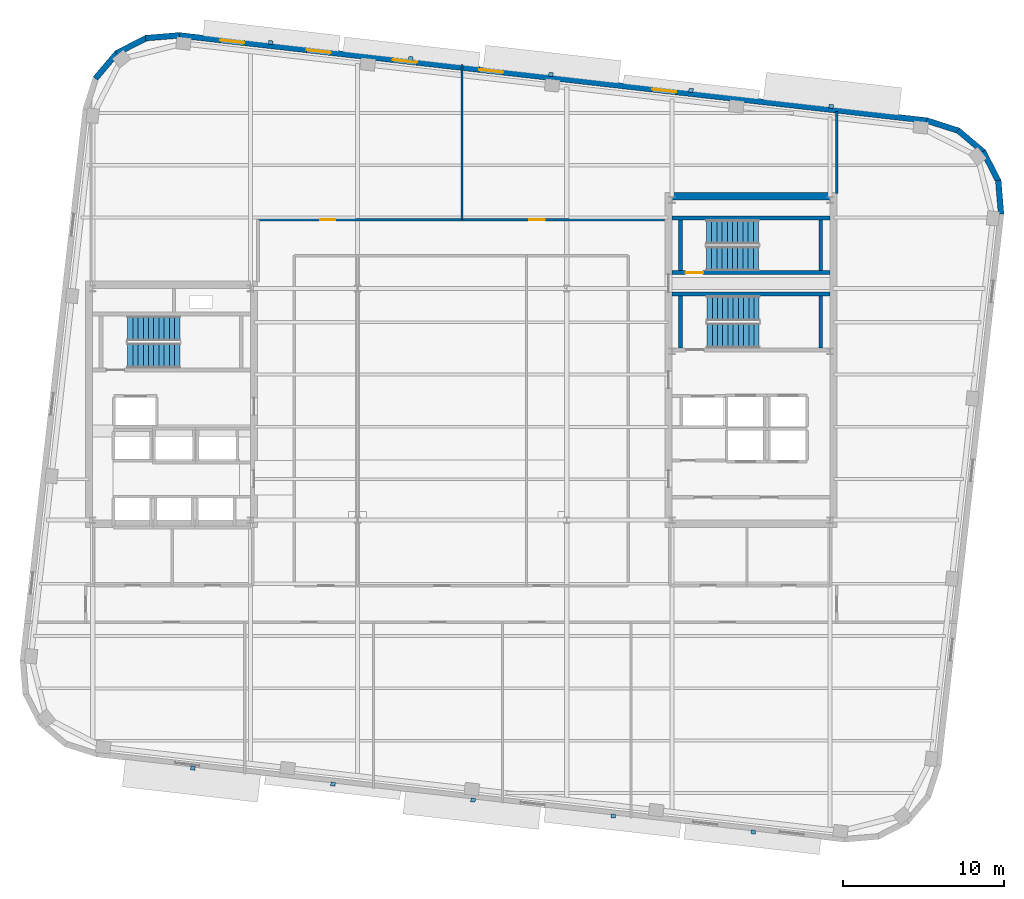
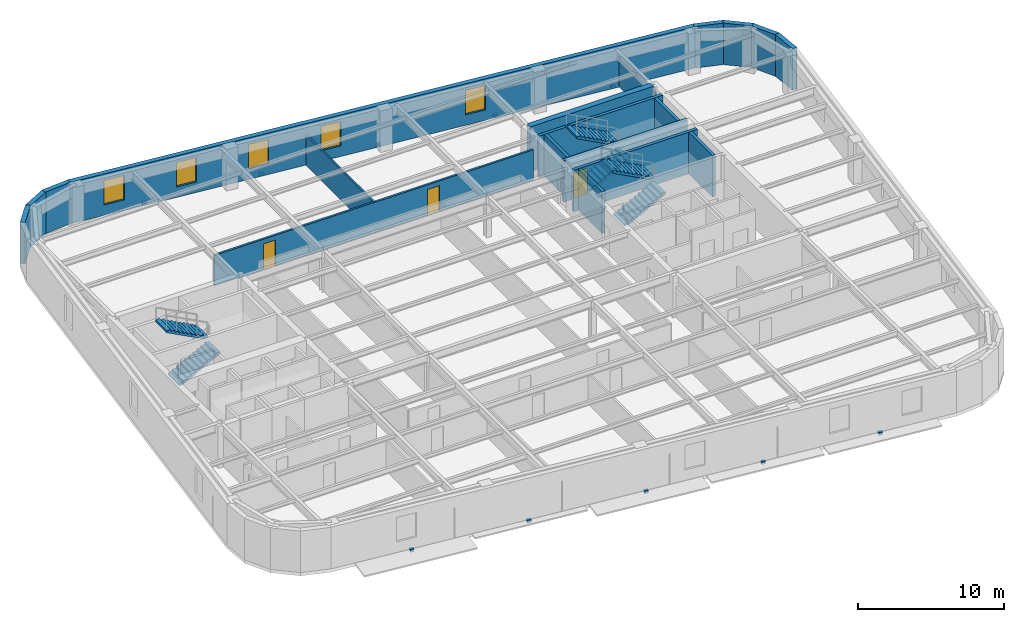
# One storey, part 8 of 12: 19 walls, 10 discrete accessories, 6 stair flights, 5 windows, 3 doors, 8 openings, 3 elements without a shape of their own.
"""IFC4 building model written with IfcOpenShell, lengths in metres."""

from ifc_helpers import new_model, si_unit, direction, frame, frame_2d, origin, origin_2d, place, context, subcontext, project, spatial, polyline, rectangle, outline, extrude, material, layer, layer_set, type_object, element, fill, aggregate, save


model = new_model("IFC4")

# Units and contexts
model_context = context("Model", 3, precision=1e-05, world=origin(), true_north=direction((0.0, 1.0)))
body_context = subcontext(model_context, "Body", "Model", "MODEL_VIEW")
ifc_project = project(units=[si_unit("LENGTHUNIT", "METRE"), si_unit("AREAUNIT", "SQUARE_METRE"), si_unit("VOLUMEUNIT", "CUBIC_METRE"), si_unit("PLANEANGLEUNIT", "RADIAN"), si_unit("MASSUNIT", "GRAM", prefix="KILO")], contexts=[model_context])

# Site, building, storey
site_placement = place(None, origin())
site = spatial("IfcSite", under=ifc_project, at=site_placement, CompositionType="ELEMENT")
building_placement = place(site_placement, origin())
building = spatial("IfcBuilding", under=site, at=building_placement, Name="Kolvaren Arena Tower", CompositionType="ELEMENT")
storey_placement = place(building_placement, frame((0.0, 0.0, 220.949951171875)))
storey = spatial("IfcBuildingStorey", under=building, at=storey_placement, Name="L53", CompositionType="ELEMENT", Elevation=220.949951171875)

# Wall, openings, doors
ifc_material_1 = material(Name="Gypsum board acoustic assembly", Category="gypsum")
ifc_layer_1 = layer(ifc_material_1, 0.159912109375)
ifc_layer_set_1 = layer_set([ifc_layer_1], Name="Gypsum board acoustic assembly")
wall_type_1 = type_object("IfcWallType", Name="CORR-160", PredefinedType="PARTITIONING", material=ifc_layer_set_1)
wall_1_placement = place(storey_placement, frame((24.820068359375, 38.1201171875, 0.0), z_axis=(0.0, 0.0, 1.0), x_axis=(1.0, 0.0, 0.0)))
wall_1 = element("IfcWall", 1, at=wall_1_placement, inside=storey, type_object=wall_type_1, Name="Interior Partition Wall (L53)", PredefinedType="PARTITIONING", context=body_context, shape_type="SweptSolid", body=[
    extrude(rectangle(XDim=25.260009765625, YDim=0.159912109375, at=frame_2d((12.6298828125, 0.0))), origin(), (0.0, 0.0, 1.0), 2.5400390625),
])
opening_1_placement = place(wall_1_placement, frame((3.85498046875, 0.0, 0.0)))
opening_1 = element("IfcOpeningElement", 2, at=opening_1_placement, cuts=wall_1, Name="Opening D05", PredefinedType="OPENING", context=body_context, shape_type="SweptSolid", body=[
    extrude(rectangle(XDim=0.949951171875, YDim=2.14990234375, at=frame_2d((0.47509765625, 1.074951171875))), frame((0.0, 0.08984375, 0.0), z_axis=(0.0, -1.0, 0.0), x_axis=(1.0, 0.0, 0.0)), (0.0, 0.0, 1.0), 0.179931640625),
])
opening_2_placement = place(wall_1_placement, frame((16.85498046875, 0.0, 0.0)))
opening_2 = element("IfcOpeningElement", 3, at=opening_2_placement, cuts=wall_1, Name="Opening D05", PredefinedType="OPENING", context=body_context, shape_type="SweptSolid", body=[
    extrude(rectangle(XDim=0.949951171875, YDim=2.14990234375, at=frame_2d((0.47509765625, 1.074951171875))), frame((0.0, 0.08984375, 0.0), z_axis=(0.0, -1.0, 0.0), x_axis=(1.0, 0.0, 0.0)), (0.0, 0.0, 1.0), 0.179931640625),
])
ifc_material_2 = material(Name="Solid-core oak acoustic office door", Category="wood")
door_type_1 = type_object("IfcDoorType", Name="DOOR-OF-095", OperationType="NOTDEFINED", PredefinedType="DOOR", material=ifc_material_2)
door_1_placement = place(opening_1_placement, origin())
door_1 = element("IfcDoor", 4, at=door_1_placement, inside=storey, type_object=door_type_1, Name="Design Studio Door (L53)", OperationType="SINGLE_SWING_RIGHT", OverallHeight=2.14990234375, OverallWidth=0.949951171875, PredefinedType="DOOR", context=body_context, shape_type="SweptSolid", body=[
    extrude(rectangle(XDim=0.949951171875, YDim=2.14990234375, at=frame_2d((0.47509765625, 1.074951171875))), frame((0.0, 0.02490234375, 0.0), z_axis=(0.0, -1.0, 0.0), x_axis=(1.0, 0.0, 0.0)), (0.0, 0.0, 1.0), 0.050048828125),
])
fill(opening_1, door_1)
door_2_placement = place(opening_2_placement, origin())
door_2 = element("IfcDoor", 5, at=door_2_placement, inside=storey, type_object=door_type_1, Name="Technical Engineering Office Door (L53)", OperationType="SINGLE_SWING_LEFT", OverallHeight=2.14990234375, OverallWidth=0.949951171875, PredefinedType="DOOR", context=body_context, shape_type="SweptSolid", body=[
    extrude(rectangle(XDim=0.949951171875, YDim=2.14990234375, at=frame_2d((0.47509765625, 1.074951171875))), frame((0.0, 0.02490234375, 0.0), z_axis=(0.0, -1.0, 0.0), x_axis=(1.0, 0.0, 0.0)), (0.0, 0.0, 1.0), 0.050048828125),
])
fill(opening_2, door_2)

# Walls
ifc_material_3 = material(Name="Concrete 55 MPa", Category="concrete")
ifc_layer_2 = layer(ifc_material_3, 0.449951171875)
ifc_layer_set_2 = layer_set([ifc_layer_2], Name="Concrete 55 MPa")
wall_type_2 = type_object("IfcWallType", Name="CWALL-450", PredefinedType="SHEAR", material=ifc_layer_set_2)
wall_2_placement = place(storey_placement, frame((50.550048828125, 39.574951171875, -0.27001953125), z_axis=(0.0, 0.0, 1.0), x_axis=(1.0, 0.0, 0.0)))
element("IfcWall", 6, at=wall_2_placement, inside=storey, type_object=wall_type_2, Name="Core Shear Wall EC-NORTH (L53)", PredefinedType="SHEAR", context=body_context, shape_type="SweptSolid", body=[
    extrude(rectangle(XDim=9.800048828125, YDim=0.449951171875, at=frame_2d((4.89990234375, 0.0))), origin(), (0.0, 0.0, 1.0), 3.75),
])
ifc_material_4 = material(Name="Precast concrete C50/60", Category="concrete")
ifc_layer_3 = layer(ifc_material_4, 0.360107421875)
ifc_layer_set_3 = layer_set([ifc_layer_3], Name="Precast concrete C50/60")
wall_type_3 = type_object("IfcWallType", Name="EXT-PIER2", PredefinedType="SOLIDWALL", material=ifc_layer_set_3)
wall_3_placement = place(storey_placement, frame((70.813720703125, 40.563720703125, 0.0), z_axis=(0.0, 0.0, 1.0), x_axis=(0.082853678144, -0.996561723135, 0.0)))
element("IfcWall", 7, at=wall_3_placement, inside=storey, type_object=wall_type_3, Name="Exterior Precast Masonry-Frame Wall (L53)", PredefinedType="SOLIDWALL", context=body_context, shape_type="SweptSolid", body=[
    extrude(rectangle(XDim=2.10693359375, YDim=0.360107421875, at=frame_2d((1.053466796875, 0.0))), origin(), (0.0, 0.0, 1.0), 3.47998046875),
])
for number, where, z_axis, x_axis, name in (
    (8, (69.868408203125, 42.369384765625, 0.0), (0.0, 0.0, 1.0), (0.457887222333, -0.889010287693, 0.0), "Exterior Precast Masonry-Frame Wall (L53)"),
    (9, (68.303955078125, 43.67578125, 0.0), (0.0, 0.0, 1.0), (0.763192878975, -0.646170743289, 0.0), "Exterior Precast Masonry-Frame Wall (L53)"),
    (10, (66.358642578125, 44.283935546875, 0.0), (0.0, 0.0, 1.0), (0.952403965565, -0.304838787518, 0.0), "Exterior Precast Masonry-Frame Wall (L53)"),
):
    element("IfcWall", number, at=place(storey_placement, frame(where, z_axis=z_axis, x_axis=x_axis)), inside=storey, type_object=wall_type_3, Name=name, PredefinedType="SOLIDWALL", context=body_context, shape_type="SweptSolid", body=[
        extrude(rectangle(XDim=2.107177734375, YDim=0.360107421875, at=frame_2d((1.0537109375, 0.0))), origin(), (0.0, 0.0, 1.0), 3.47998046875),
    ])

# Wall, openings, windows
wall_4_placement = place(storey_placement, frame((19.89404296875, 49.57470703125, 0.0), z_axis=(0.0, 0.0, 1.0), x_axis=(0.993571439016, -0.113206870688, 0.0)))
wall_4 = element("IfcWall", 11, at=wall_4_placement, inside=storey, type_object=wall_type_3, Name="Exterior Precast Masonry-Frame Wall (L53)", PredefinedType="SOLIDWALL", context=body_context, shape_type="SweptSolid", body=[
    extrude(rectangle(XDim=46.800048828125, YDim=0.360107421875, at=frame_2d((23.39990234375, 0.0))), origin(), (0.0, 0.0, 1.0), 3.47998046875),
])
opening_3_placement = place(wall_4_placement, frame((2.60009765625, 0.0, 0.8798828125)))
opening_3 = element("IfcOpeningElement", 12, at=opening_3_placement, cuts=wall_4, Name="Opening W03", PredefinedType="OPENING", context=body_context, shape_type="SweptSolid", body=[
    extrude(rectangle(XDim=1.5, YDim=2.050048828125, at=frame_2d((0.75, 1.02490234375))), frame((0.0, 0.18994140625, 0.0), z_axis=(0.0, -1.0, 0.0), x_axis=(1.0, 0.0, 0.0)), (0.0, 0.0, 1.0), 0.380126953125),
])
opening_4_placement = place(wall_4_placement, frame((8.0, 0.0, 0.8798828125)))
opening_4 = element("IfcOpeningElement", 13, at=opening_4_placement, cuts=wall_4, Name="Opening W03", PredefinedType="OPENING", context=body_context, shape_type="SweptSolid", body=[
    extrude(rectangle(XDim=1.5, YDim=2.050048828125, at=frame_2d((0.75, 1.02490234375))), frame((0.0, 0.18994140625, 0.0), z_axis=(0.0, -1.0, 0.0), x_axis=(1.0, 0.0, 0.0)), (0.0, 0.0, 1.0), 0.380126953125),
])
opening_5_placement = place(wall_4_placement, frame((13.39990234375, 0.0, 0.8798828125)))
opening_5 = element("IfcOpeningElement", 14, at=opening_5_placement, cuts=wall_4, Name="Opening W03", PredefinedType="OPENING", context=body_context, shape_type="SweptSolid", body=[
    extrude(rectangle(XDim=1.5, YDim=2.050048828125, at=frame_2d((0.75, 1.02490234375))), frame((0.0, 0.18994140625, 0.0), z_axis=(0.0, -1.0, 0.0), x_axis=(1.0, 0.0, 0.0)), (0.0, 0.0, 1.0), 0.380126953125),
])
opening_6_placement = place(wall_4_placement, frame((18.800048828125, 0.0, 0.8798828125)))
opening_6 = element("IfcOpeningElement", 15, at=opening_6_placement, cuts=wall_4, Name="Opening W03", PredefinedType="OPENING", context=body_context, shape_type="SweptSolid", body=[
    extrude(rectangle(XDim=1.5, YDim=2.050048828125, at=frame_2d((0.75, 1.02490234375))), frame((0.0, 0.18994140625, 0.0), z_axis=(0.0, -1.0, 0.0), x_axis=(1.0, 0.0, 0.0)), (0.0, 0.0, 1.0), 0.380126953125),
])
opening_7_placement = place(wall_4_placement, frame((29.60009765625, 0.0, 0.8798828125)))
opening_7 = element("IfcOpeningElement", 16, at=opening_7_placement, cuts=wall_4, Name="Opening W03", PredefinedType="OPENING", context=body_context, shape_type="SweptSolid", body=[
    extrude(rectangle(XDim=1.5, YDim=2.050048828125, at=frame_2d((0.75, 1.02490234375))), frame((0.0, 0.18994140625, 0.0), z_axis=(0.0, -1.0, 0.0), x_axis=(1.0, 0.0, 0.0)), (0.0, 0.0, 1.0), 0.380126953125),
])
ifc_material_5 = material(Name="Triple-glazed low-E aluminium window", Category="aluminium")
window_type = type_object("IfcWindowType", Name="WIN-OFF-C", PartitioningType="SINGLE_PANEL", PredefinedType="WINDOW", material=ifc_material_5)
window_1_placement = place(opening_3_placement, origin())
window_1 = element("IfcWindow", 17, at=window_1_placement, inside=storey, type_object=window_type, Name="Punched Precast-Pier Window (L53)", OverallHeight=2.050048828125, OverallWidth=1.5, PartitioningType="SINGLE_PANEL", PredefinedType="WINDOW", context=body_context, shape_type="SweptSolid", body=[
    extrude(rectangle(XDim=1.5, YDim=2.050048828125, at=frame_2d((0.75, 1.02490234375))), frame((0.0, 0.030029296875, 0.0), z_axis=(0.0, -1.0, 0.0), x_axis=(1.0, 0.0, 0.0)), (0.0, 0.0, 1.0), 0.06005859375),
])
fill(opening_3, window_1)
window_2_placement = place(opening_4_placement, origin())
window_2 = element("IfcWindow", 18, at=window_2_placement, inside=storey, type_object=window_type, Name="Punched Precast-Pier Window (L53)", OverallHeight=2.050048828125, OverallWidth=1.5, PartitioningType="SINGLE_PANEL", PredefinedType="WINDOW", context=body_context, shape_type="SweptSolid", body=[
    extrude(rectangle(XDim=1.5, YDim=2.050048828125, at=frame_2d((0.75, 1.02490234375))), frame((0.0, 0.030029296875, 0.0), z_axis=(0.0, -1.0, 0.0), x_axis=(1.0, 0.0, 0.0)), (0.0, 0.0, 1.0), 0.06005859375),
])
fill(opening_4, window_2)
window_3_placement = place(opening_5_placement, origin())
window_3 = element("IfcWindow", 19, at=window_3_placement, inside=storey, type_object=window_type, Name="Punched Precast-Pier Window (L53)", OverallHeight=2.050048828125, OverallWidth=1.5, PartitioningType="SINGLE_PANEL", PredefinedType="WINDOW", context=body_context, shape_type="SweptSolid", body=[
    extrude(rectangle(XDim=1.5, YDim=2.050048828125, at=frame_2d((0.75, 1.02490234375))), frame((0.0, 0.030029296875, 0.0), z_axis=(0.0, -1.0, 0.0), x_axis=(1.0, 0.0, 0.0)), (0.0, 0.0, 1.0), 0.06005859375),
])
fill(opening_5, window_3)
window_4_placement = place(opening_6_placement, origin())
window_4 = element("IfcWindow", 20, at=window_4_placement, inside=storey, type_object=window_type, Name="Punched Precast-Pier Window (L53)", OverallHeight=2.050048828125, OverallWidth=1.5, PartitioningType="SINGLE_PANEL", PredefinedType="WINDOW", context=body_context, shape_type="SweptSolid", body=[
    extrude(rectangle(XDim=1.5, YDim=2.050048828125, at=frame_2d((0.75, 1.02490234375))), frame((0.0, 0.030029296875, 0.0), z_axis=(0.0, -1.0, 0.0), x_axis=(1.0, 0.0, 0.0)), (0.0, 0.0, 1.0), 0.06005859375),
])
fill(opening_6, window_4)
window_5_placement = place(opening_7_placement, origin())
window_5 = element("IfcWindow", 21, at=window_5_placement, inside=storey, type_object=window_type, Name="Punched Precast-Pier Window (L53)", OverallHeight=2.050048828125, OverallWidth=1.5, PartitioningType="SINGLE_PANEL", PredefinedType="WINDOW", context=body_context, shape_type="SweptSolid", body=[
    extrude(rectangle(XDim=1.5, YDim=2.050048828125, at=frame_2d((0.75, 1.02490234375))), frame((0.0, 0.030029296875, 0.0), z_axis=(0.0, -1.0, 0.0), x_axis=(1.0, 0.0, 0.0)), (0.0, 0.0, 1.0), 0.06005859375),
])
fill(opening_7, window_5)

# Walls
for number, where, z_axis, x_axis, name in (
    (22, (17.82958984375, 49.3994140625, 0.0), (0.0, 0.0, 1.0), (0.996562518477, 0.082844111233, 0.0), "Exterior Precast Masonry-Frame Wall (L53)"),
    (23, (16.02392578125, 48.4541015625, 0.0), (0.0, 0.0, 1.0), (0.889010287693, 0.457887222333, 0.0), "Exterior Precast Masonry-Frame Wall (L53)"),
    (24, (14.717529296875, 46.8896484375, 0.0), (0.0, 0.0, 1.0), (0.646170743289, 0.763192878975, 0.0), "Exterior Precast Masonry-Frame Wall (L53)"),
):
    element("IfcWall", number, at=place(storey_placement, frame(where, z_axis=z_axis, x_axis=x_axis)), inside=storey, type_object=wall_type_3, Name=name, PredefinedType="SOLIDWALL", context=body_context, shape_type="SweptSolid", body=[
        extrude(rectangle(XDim=2.107177734375, YDim=0.360107421875, at=frame_2d((1.0537109375, 0.0))), origin(), (0.0, 0.0, 1.0), 3.47998046875),
    ])
ifc_material_6 = material(Name="Gypsum board partition assembly", Category="gypsum")
ifc_layer_4 = layer(ifc_material_6, 0.135009765625)
ifc_layer_set_4 = layer_set([ifc_layer_4], Name="Gypsum board partition assembly")
wall_type_4 = type_object("IfcWallType", Name="PART-135", PredefinedType="PARTITIONING", material=ifc_layer_set_4)
wall_5_placement = place(storey_placement, frame((37.5, 38.1201171875, 0.0), z_axis=(0.0, 0.0, 1.0), x_axis=(0.0, 1.0, 0.0)))
element("IfcWall", 25, at=wall_5_placement, inside=storey, type_object=wall_type_4, Name="Interior Partition Wall (L53)", PredefinedType="PARTITIONING", context=body_context, shape_type="SweptSolid", body=[
    extrude(rectangle(XDim=9.629638671875, YDim=0.135009765625, at=frame_2d((4.81494140625, 0.0))), origin(), (0.0, 0.0, 1.0), 2.5400390625),
])
wall_6_placement = place(storey_placement, frame((60.780029296875, 39.75, 0.0), z_axis=(0.0, 0.0, 1.0), x_axis=(0.0, 1.0, 0.0)))
element("IfcWall", 26, at=wall_6_placement, inside=storey, type_object=wall_type_4, Name="Interior Partition Wall (L53)", PredefinedType="PARTITIONING", context=body_context, shape_type="SweptSolid", body=[
    extrude(rectangle(XDim=5.105712890625, YDim=0.135009765625, at=frame_2d((2.552734375, 0.0))), origin(), (0.0, 0.0, 1.0), 2.5400390625),
])
ifc_material_7 = material(Name="Concrete 45 MPa", Category="concrete")
ifc_layer_5 = layer(ifc_material_7, 0.25)
ifc_layer_set_5 = layer_set([ifc_layer_5], Name="Concrete 45 MPa")
wall_type_5 = type_object("IfcWallType", Name="SHAFT-250", PredefinedType="SOLIDWALL", material=ifc_layer_set_5)
wall_7_placement = place(storey_placement, frame((50.550048828125, 33.5, 0.0), z_axis=(0.0, 0.0, 1.0), x_axis=(1.0, 0.0, 0.0)))
element("IfcWall", 27, at=wall_7_placement, inside=storey, type_object=wall_type_5, Name="Core Shaft Wall (L53)", PredefinedType="SOLIDWALL", context=body_context, shape_type="SweptSolid", body=[
    extrude(rectangle(XDim=9.800048828125, YDim=0.239990234375, at=frame_2d((4.89990234375, 0.0))), origin(), (0.0, 0.0, 1.0), 3.47998046875),
])
for number, where, z_axis, x_axis, name in (
    (28, (51.06005859375, 30.14990234375, 0.0), (0.0, 0.0, 1.0), (0.0, 1.0, 0.0), "Core Shaft Wall (L53)"),
    (29, (59.780029296875, 30.14990234375, 0.0), (0.0, 0.0, 1.0), (0.0, 1.0, 0.0), "Core Shaft Wall (L53)"),
):
    element("IfcWall", number, at=place(storey_placement, frame(where, z_axis=z_axis, x_axis=x_axis)), inside=storey, type_object=wall_type_5, Name=name, PredefinedType="SOLIDWALL", context=body_context, shape_type="SweptSolid", body=[
        extrude(rectangle(XDim=3.22998046875, YDim=0.239990234375, at=frame_2d((1.614990234375, 0.0))), origin(), (0.0, 0.0, 1.0), 3.47998046875),
    ])

# Wall, opening, door
wall_8_placement = place(storey_placement, frame((60.35009765625, 34.830078125, 0.0), z_axis=(0.0, 0.0, 1.0), x_axis=(-1.0, 0.0, 0.0)))
wall_8 = element("IfcWall", 30, at=wall_8_placement, inside=storey, type_object=wall_type_5, Name="Core Shaft Wall (L53)", PredefinedType="SOLIDWALL", context=body_context, shape_type="SweptSolid", body=[
    extrude(rectangle(XDim=9.800048828125, YDim=0.239990234375, at=frame_2d((4.89990234375, 0.0))), origin(), (0.0, 0.0, 1.0), 3.47998046875),
])
opening_8_placement = place(wall_8_placement, frame((7.8701171875, 0.0, 0.0)))
opening_8 = element("IfcOpeningElement", 31, at=opening_8_placement, cuts=wall_8, Name="Opening D03", PredefinedType="OPENING", context=body_context, shape_type="SweptSolid", body=[
    extrude(rectangle(XDim=1.10009765625, YDim=2.14990234375, at=frame_2d((0.550048828125, 1.074951171875))), frame((0.0, 0.1298828125, 0.0), z_axis=(0.0, -1.0, 0.0), x_axis=(1.0, 0.0, 0.0)), (0.0, 0.0, 1.0), 0.260009765625),
])
ifc_material_8 = material(Name="Fire-rated steel exit stair door", Category="steel")
door_type_2 = type_object("IfcDoorType", Name="DOOR-ST-110", OperationType="NOTDEFINED", PredefinedType="DOOR", material=ifc_material_8)
door_3_placement = place(opening_8_placement, origin())
door_3 = element("IfcDoor", 32, at=door_3_placement, inside=storey, type_object=door_type_2, Name="Stair ST-E2 Fire Door (L53)", OperationType="SINGLE_SWING_LEFT", OverallHeight=2.14990234375, OverallWidth=1.10009765625, PredefinedType="DOOR", context=body_context, shape_type="SweptSolid", body=[
    extrude(rectangle(XDim=1.10009765625, YDim=2.14990234375, at=frame_2d((0.550048828125, 1.074951171875))), frame((0.0, 0.02490234375, 0.0), z_axis=(0.0, -1.0, 0.0), x_axis=(1.0, 0.0, 0.0)), (0.0, 0.0, 1.0), 0.050048828125),
])
fill(opening_8, door_3)

# Walls
wall_9_placement = place(storey_placement, frame((50.550048828125, 38.219970703125, 0.0), z_axis=(0.0, 0.0, 1.0), x_axis=(1.0, 0.0, 0.0)))
element("IfcWall", 33, at=wall_9_placement, inside=storey, type_object=wall_type_5, Name="Core Shaft Wall (L53)", PredefinedType="SOLIDWALL", context=body_context, shape_type="SweptSolid", body=[
    extrude(rectangle(XDim=9.800048828125, YDim=0.239990234375, at=frame_2d((4.89990234375, 0.0))), origin(), (0.0, 0.0, 1.0), 3.47998046875),
])
for number, where, z_axis, x_axis, name in (
    (34, (51.06005859375, 34.949951171875, 0.0), (0.0, 0.0, 1.0), (0.0, 1.0, 0.0), "Core Shaft Wall (L53)"),
    (35, (59.780029296875, 34.949951171875, 0.0), (0.0, 0.0, 1.0), (0.0, 1.0, 0.0), "Core Shaft Wall (L53)"),
):
    element("IfcWall", number, at=place(storey_placement, frame(where, z_axis=z_axis, x_axis=x_axis)), inside=storey, type_object=wall_type_5, Name=name, PredefinedType="SOLIDWALL", context=body_context, shape_type="SweptSolid", body=[
        extrude(rectangle(XDim=3.150146484375, YDim=0.239990234375, at=frame_2d((1.5751953125, 0.0))), origin(), (0.0, 0.0, 1.0), 3.47998046875),
    ])

# Stair, stair flights
stair_type_1 = type_object("IfcStairType", Name="STAIR-CORE-150", PredefinedType="HALF_TURN_STAIR", material=ifc_material_7)
stair_1_placement = place(storey_placement, origin())
stair_1 = element("IfcStair", 36, at=stair_1_placement, inside=storey, type_object=stair_type_1, Name="L53 ST-E2", PredefinedType="HALF_TURN_STAIR")
stair_flight_type_1 = type_object("IfcStairFlightType", Name="FLT-150", PredefinedType="STRAIGHT", material=ifc_material_7)
stair_flight_1_placement = place(storey_placement, frame((52.679931640625, 35.699951171875, 0.0), z_axis=(0.0, 0.0, 1.0), x_axis=(1.0, 0.0, 0.0)))
stair_flight_1 = element("IfcStairFlight", 37, at=stair_flight_1_placement, type_object=stair_flight_type_1, Name="ST-E2 flight 1", NumberOfRisers=11, NumberOfTreads=10, PredefinedType="STRAIGHT", RiserHeight=0.170454545, TreadLength=0.324, context=body_context, shape_type="SweptSolid", body=[
    extrude(outline(polyline([(0.0, 0.0), (0.0, 0.17041015625), (0.323974609375, 0.17041015625), (0.323974609375, 0.3408203125), (0.64794921875, 0.3408203125), (0.64794921875, 0.511474609375), (0.971923828125, 0.511474609375), (0.971923828125, 0.681884765625), (1.2958984375, 0.681884765625), (1.2958984375, 0.852294921875), (1.6201171875, 0.852294921875), (1.6201171875, 1.022705078125), (1.944091796875, 1.022705078125), (1.944091796875, 1.193115234375), (2.26806640625, 1.193115234375), (2.26806640625, 1.363525390625), (2.592041015625, 1.363525390625), (2.592041015625, 1.5341796875), (2.916015625, 1.5341796875), (2.916015625, 1.70458984375), (3.239990234375, 1.70458984375), (3.239990234375, 1.875), (3.239990234375, 1.53515625), (0.322021484375, 0.0), (0.0, 0.0)])), frame((0.0, 0.75, 0.0), z_axis=(0.0, -1.0, 0.0), x_axis=(1.0, 0.0, 0.0)), (0.0, 0.0, 1.0), 1.5),
])
stair_flight_2_placement = place(storey_placement, frame((55.919921875, 37.35009765625, 1.875), z_axis=(0.0, 0.0, 1.0), x_axis=(-1.0, 0.0, 0.0)))
stair_flight_2 = element("IfcStairFlight", 38, at=stair_flight_2_placement, type_object=stair_flight_type_1, Name="ST-E2 flight 2", NumberOfRisers=11, NumberOfTreads=10, PredefinedType="STRAIGHT", RiserHeight=0.170454545, TreadLength=0.324, context=body_context, shape_type="SweptSolid", body=[
    extrude(outline(polyline([(0.0, 0.0), (0.0, 0.17041015625), (0.323974609375, 0.17041015625), (0.323974609375, 0.3408203125), (0.64794921875, 0.3408203125), (0.64794921875, 0.511474609375), (0.971923828125, 0.511474609375), (0.971923828125, 0.681884765625), (1.2958984375, 0.681884765625), (1.2958984375, 0.852294921875), (1.6201171875, 0.852294921875), (1.6201171875, 1.022705078125), (1.944091796875, 1.022705078125), (1.944091796875, 1.193115234375), (2.26806640625, 1.193115234375), (2.26806640625, 1.363525390625), (2.592041015625, 1.363525390625), (2.592041015625, 1.5341796875), (2.916015625, 1.5341796875), (2.916015625, 1.70458984375), (3.239990234375, 1.70458984375), (3.239990234375, 1.875), (3.239990234375, 1.53515625), (0.322021484375, 0.0), (0.0, 0.0)])), frame((0.0, 0.75, 0.0), z_axis=(0.0, -1.0, 0.0), x_axis=(1.0, 0.0, 0.0)), (0.0, 0.0, 1.0), 1.5),
])
aggregate(stair_1, [stair_flight_1, stair_flight_2])

stair_type_2 = type_object("IfcStairType", Name="STAIR-CORE-165", PredefinedType="HALF_TURN_STAIR", material=ifc_material_7)
stair_2_placement = place(storey_placement, origin())
stair_2 = element("IfcStair", 39, at=stair_2_placement, inside=storey, type_object=stair_type_2, Name="L53 ST-W1", PredefinedType="HALF_TURN_STAIR")
stair_flight_type_2 = type_object("IfcStairFlightType", Name="FLT-165", PredefinedType="STRAIGHT", material=ifc_material_7)
stair_flight_3_placement = place(storey_placement, frame((16.719970703125, 29.669921875, 0.0), z_axis=(0.0, 0.0, 1.0), x_axis=(1.0, 0.0, 0.0)))
stair_flight_3 = element("IfcStairFlight", 40, at=stair_flight_3_placement, type_object=stair_flight_type_2, Name="ST-W1 flight 1", NumberOfRisers=11, NumberOfTreads=10, PredefinedType="STRAIGHT", RiserHeight=0.170454545, TreadLength=0.324, context=body_context, shape_type="SweptSolid", body=[
    extrude(outline(polyline([(0.0, 0.0), (0.0, 0.17041015625), (0.323974609375, 0.17041015625), (0.323974609375, 0.3408203125), (0.64794921875, 0.3408203125), (0.64794921875, 0.511474609375), (0.971923828125, 0.511474609375), (0.971923828125, 0.681884765625), (1.2958984375, 0.681884765625), (1.2958984375, 0.852294921875), (1.6201171875, 0.852294921875), (1.6201171875, 1.022705078125), (1.944091796875, 1.022705078125), (1.944091796875, 1.193115234375), (2.26806640625, 1.193115234375), (2.26806640625, 1.363525390625), (2.592041015625, 1.363525390625), (2.592041015625, 1.5341796875), (2.916015625, 1.5341796875), (2.916015625, 1.70458984375), (3.239990234375, 1.70458984375), (3.239990234375, 1.875), (3.239990234375, 1.53515625), (0.322021484375, 0.0), (0.0, 0.0)])), frame((0.0, 0.77001953125, 0.0), z_axis=(0.0, -1.0, 0.0), x_axis=(1.0, 0.0, 0.0)), (0.0, 0.0, 1.0), 1.5400390625),
])
stair_flight_4_placement = place(storey_placement, frame((19.9599609375, 31.360107421875, 1.875), z_axis=(0.0, 0.0, 1.0), x_axis=(-1.0, 0.0, 0.0)))
stair_flight_4 = element("IfcStairFlight", 41, at=stair_flight_4_placement, type_object=stair_flight_type_2, Name="ST-W1 flight 2", NumberOfRisers=11, NumberOfTreads=10, PredefinedType="STRAIGHT", RiserHeight=0.170454545, TreadLength=0.324, context=body_context, shape_type="SweptSolid", body=[
    extrude(outline(polyline([(0.0, 0.0), (0.0, 0.17041015625), (0.323974609375, 0.17041015625), (0.323974609375, 0.3408203125), (0.64794921875, 0.3408203125), (0.64794921875, 0.511474609375), (0.971923828125, 0.511474609375), (0.971923828125, 0.681884765625), (1.2958984375, 0.681884765625), (1.2958984375, 0.852294921875), (1.6201171875, 0.852294921875), (1.6201171875, 1.022705078125), (1.944091796875, 1.022705078125), (1.944091796875, 1.193115234375), (2.26806640625, 1.193115234375), (2.26806640625, 1.363525390625), (2.592041015625, 1.363525390625), (2.592041015625, 1.5341796875), (2.916015625, 1.5341796875), (2.916015625, 1.70458984375), (3.239990234375, 1.70458984375), (3.239990234375, 1.875), (3.239990234375, 1.53515625), (0.322021484375, 0.0), (0.0, 0.0)])), frame((0.0, 0.77001953125, 0.0), z_axis=(0.0, -1.0, 0.0), x_axis=(1.0, 0.0, 0.0)), (0.0, 0.0, 1.0), 1.5400390625),
])
aggregate(stair_2, [stair_flight_3, stair_flight_4])

stair_3_placement = place(storey_placement, origin())
stair_3 = element("IfcStair", 42, at=stair_3_placement, inside=storey, type_object=stair_type_2, Name="L53 ST-E1", PredefinedType="HALF_TURN_STAIR")
stair_flight_5_placement = place(storey_placement, frame((52.719970703125, 30.919921875, 0.0), z_axis=(0.0, 0.0, 1.0), x_axis=(1.0, 0.0, 0.0)))
stair_flight_5 = element("IfcStairFlight", 43, at=stair_flight_5_placement, type_object=stair_flight_type_2, Name="ST-E1 flight 1", NumberOfRisers=11, NumberOfTreads=10, PredefinedType="STRAIGHT", RiserHeight=0.170454545, TreadLength=0.324, context=body_context, shape_type="SweptSolid", body=[
    extrude(outline(polyline([(0.0, 0.0), (0.0, 0.17041015625), (0.323974609375, 0.17041015625), (0.323974609375, 0.3408203125), (0.64794921875, 0.3408203125), (0.64794921875, 0.511474609375), (0.971923828125, 0.511474609375), (0.971923828125, 0.681884765625), (1.2958984375, 0.681884765625), (1.2958984375, 0.852294921875), (1.6201171875, 0.852294921875), (1.6201171875, 1.022705078125), (1.944091796875, 1.022705078125), (1.944091796875, 1.193115234375), (2.26806640625, 1.193115234375), (2.26806640625, 1.363525390625), (2.592041015625, 1.363525390625), (2.592041015625, 1.5341796875), (2.916015625, 1.5341796875), (2.916015625, 1.70458984375), (3.239990234375, 1.70458984375), (3.239990234375, 1.875), (3.239990234375, 1.53515625), (0.322021484375, 0.0), (0.0, 0.0)])), frame((0.0, 0.77001953125, 0.0), z_axis=(0.0, -1.0, 0.0), x_axis=(1.0, 0.0, 0.0)), (0.0, 0.0, 1.0), 1.5400390625),
])
stair_flight_6_placement = place(storey_placement, frame((55.9599609375, 32.610107421875, 1.875), z_axis=(0.0, 0.0, 1.0), x_axis=(-1.0, 0.0, 0.0)))
stair_flight_6 = element("IfcStairFlight", 44, at=stair_flight_6_placement, type_object=stair_flight_type_2, Name="ST-E1 flight 2", NumberOfRisers=11, NumberOfTreads=10, PredefinedType="STRAIGHT", RiserHeight=0.170454545, TreadLength=0.324, context=body_context, shape_type="SweptSolid", body=[
    extrude(outline(polyline([(0.0, 0.0), (0.0, 0.17041015625), (0.323974609375, 0.17041015625), (0.323974609375, 0.3408203125), (0.64794921875, 0.3408203125), (0.64794921875, 0.511474609375), (0.971923828125, 0.511474609375), (0.971923828125, 0.681884765625), (1.2958984375, 0.681884765625), (1.2958984375, 0.852294921875), (1.6201171875, 0.852294921875), (1.6201171875, 1.022705078125), (1.944091796875, 1.022705078125), (1.944091796875, 1.193115234375), (2.26806640625, 1.193115234375), (2.26806640625, 1.363525390625), (2.592041015625, 1.363525390625), (2.592041015625, 1.5341796875), (2.916015625, 1.5341796875), (2.916015625, 1.70458984375), (3.239990234375, 1.70458984375), (3.239990234375, 1.875), (3.239990234375, 1.53515625), (0.322021484375, 0.0), (0.0, 0.0)])), frame((0.0, 0.77001953125, 0.0), z_axis=(0.0, -1.0, 0.0), x_axis=(1.0, 0.0, 0.0)), (0.0, 0.0, 1.0), 1.5400390625),
])
aggregate(stair_3, [stair_flight_5, stair_flight_6])

# Discrete accessories
ifc_material_9 = material(Name="Stainless steel facade support bracket", Category="steel")
discrete_accessory_type = type_object("IfcDiscreteAccessoryType", Name="ACC-BRKT-1", PredefinedType="BRACKET", material=ifc_material_9)
for number, where, z_axis, x_axis, name in (
    (45, (25.60986328125, 49.12451171875, -0.18017578125), (0.0, 0.0, 1.0), (0.993571658098, -0.113204947878, 0.0), "Sunshade Support Bracket (L53)"),
    (46, (34.313720703125, 48.1328125, -0.18017578125), (0.0, 0.0, 1.0), (0.993571658098, -0.113204947878, 0.0), "Sunshade Support Bracket (L53)"),
    (47, (43.017333984375, 47.141357421875, -0.18017578125), (0.0, 0.0, 1.0), (0.993571658098, -0.113204947878, 0.0), "Sunshade Support Bracket (L53)"),
    (48, (51.720947265625, 46.149658203125, -0.18017578125), (0.0, 0.0, 1.0), (0.993571658098, -0.113204947878, 0.0), "Sunshade Support Bracket (L53)"),
    (49, (60.424560546875, 45.157958984375, -0.18017578125), (0.0, 0.0, 1.0), (0.993571658098, -0.113204947878, 0.0), "Sunshade Support Bracket (L53)"),
    (50, (55.590087890625, 0.075439453125, -0.18017578125), (0.0, 0.0, 1.0), (-0.993571658098, 0.113204947878, 0.0), "Sunshade Support Bracket (L53)"),
    (51, (46.886474609375, 1.067138671875, -0.18017578125), (0.0, 0.0, 1.0), (-0.993571658098, 0.113204947878, 0.0), "Sunshade Support Bracket (L53)"),
    (52, (38.1826171875, 2.05859375, -0.18017578125), (0.0, 0.0, 1.0), (-0.993571658098, 0.113204947878, 0.0), "Sunshade Support Bracket (L53)"),
    (53, (29.47900390625, 3.05029296875, -0.18017578125), (0.0, 0.0, 1.0), (-0.993571658098, 0.113204947878, 0.0), "Sunshade Support Bracket (L53)"),
    (54, (20.775390625, 4.0419921875, -0.18017578125), (0.0, 0.0, 1.0), (-0.993571658098, 0.113204947878, 0.0), "Sunshade Support Bracket (L53)"),
):
    element("IfcDiscreteAccessory", number, at=place(storey_placement, frame(where, z_axis=z_axis, x_axis=x_axis)), inside=storey, type_object=discrete_accessory_type, Name=name, PredefinedType="BRACKET", context=body_context, shape_type="SweptSolid", body=[
        extrude(rectangle(XDim=0.280029296875, YDim=0.239990234375, at=origin_2d()), origin(), (0.0, 0.0, 1.0), 0.239990234375),
    ])

save(model, "model.ifc")
